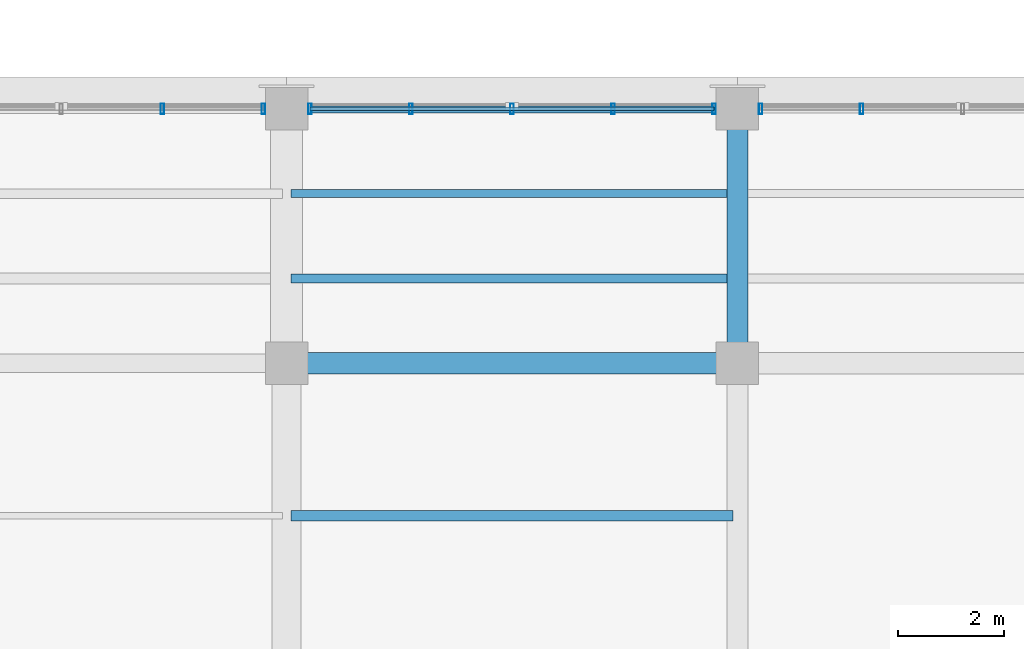
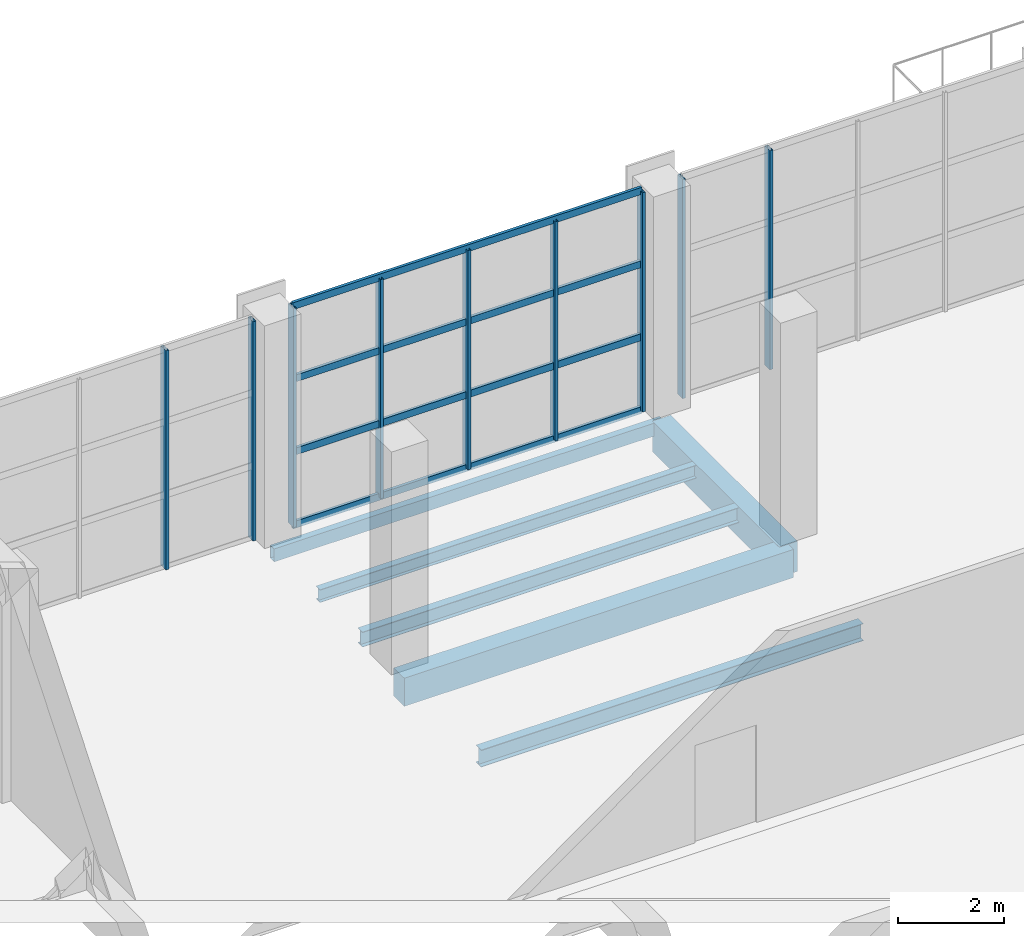
# One storey, part 13 of 90: 13 members, 6 beams, 3 elements without a shape of their own.
"""IFC4 building model written with IfcOpenShell, lengths in metres."""

from ifc_helpers import new_model, si_unit, direction, frame, origin, origin_2d, place, context, subcontext, project, spatial, rectangle, hollow_rectangle, i_section, extrude, material, material_profile, profile_set, type_object, element, aggregate, save


model = new_model("IFC4")

# Units and contexts
model_context = context("Model", 3, precision=1e-05, world=origin(), true_north=direction((0.0, 1.0)))
body_context = subcontext(model_context, "Body", "Model", "MODEL_VIEW")
ifc_project = project(units=[si_unit("LENGTHUNIT", "METRE"), si_unit("AREAUNIT", "SQUARE_METRE"), si_unit("VOLUMEUNIT", "CUBIC_METRE"), si_unit("PLANEANGLEUNIT", "RADIAN"), si_unit("MASSUNIT", "GRAM", prefix="KILO")], contexts=[model_context])

# Site, building, storey
site_placement = place(None, origin())
site = spatial("IfcSite", under=ifc_project, at=site_placement, CompositionType="ELEMENT")
building_placement = place(site_placement, origin())
building = spatial("IfcBuilding", under=site, at=building_placement, Name="Solvikara Media Centre", CompositionType="ELEMENT")
storey_placement = place(building_placement, origin())
storey = spatial("IfcBuildingStorey", under=building, at=storey_placement, Name="L00", CompositionType="ELEMENT", Elevation=0.0)

# Beams
ifc_material_1 = material(Name="Concrete fc' 35 MPa (C35/45)", Category="concrete")
ifc_material_profile_1 = material_profile(ifc_material_1, rectangle(XDim=0.39990234375, YDim=0.64990234375, at=origin_2d()), Name="RC 400x650")
ifc_profile_set_1 = profile_set([ifc_material_profile_1], Name="Concrete fc' 35 MPa (C35/45)")
beam_type_1 = type_object("IfcBeamType", Name="BM-02", PredefinedType="BEAM", material=ifc_profile_set_1)
beam_1_placement = place(storey_placement, frame((51.0, 32.0, -0.6650390625), z_axis=(1.0, 0.0, 0.0), x_axis=(0.0, 1.0, 0.0)))
element("IfcBeam", 1, at=beam_1_placement, inside=storey, type_object=beam_type_1, Name="B-L00-X0050", PredefinedType="BEAM", context=body_context, shape_type="SweptSolid", body=[
    extrude(rectangle(XDim=0.39990234375, YDim=0.64990234375, at=origin_2d()), origin(), (0.0, 0.0, 1.0), 8.5),
])
ifc_material_profile_2 = material_profile(ifc_material_1, rectangle(XDim=0.39990234375, YDim=0.699951171875, at=origin_2d()), Name="RC 400x700")
ifc_profile_set_2 = profile_set([ifc_material_profile_2], Name="Concrete fc' 35 MPa (C35/45)")
beam_type_2 = type_object("IfcBeamType", Name="BM-03", PredefinedType="BEAM", material=ifc_profile_set_2)
beam_2_placement = place(storey_placement, frame((59.5, 32.0, -0.68994140625), z_axis=(0.0, 1.0, 0.0), x_axis=(-1.0, 0.0, 0.0)))
element("IfcBeam", 2, at=beam_2_placement, inside=storey, type_object=beam_type_2, Name="B-L00-Y0171", PredefinedType="BEAM", context=body_context, shape_type="SweptSolid", body=[
    extrude(rectangle(XDim=0.39990234375, YDim=0.699951171875, at=origin_2d()), origin(), (0.0, 0.0, 1.0), 4.800048828125),
])
ifc_material_2 = material(Name="Steel S355JR", Category="steel")
ifc_material_profile_3 = material_profile(ifc_material_2, hollow_rectangle(XDim=0.14990234375, YDim=0.300048828125, WallThickness=0.010009765625, at=origin_2d()), Name="RHS 300x150x10")
ifc_profile_set_3 = profile_set([ifc_material_profile_3], Name="Steel S355JR")
beam_type_3 = type_object("IfcBeamType", Name="BM-35", PredefinedType="BEAM", material=ifc_profile_set_3)
beam_3_placement = place(storey_placement, frame((51.0, 36.800048828125, -0.491943359375), z_axis=(1.0, 0.0, 0.0), x_axis=(0.0, 1.0, 0.0)))
element("IfcBeam", 3, at=beam_3_placement, inside=storey, type_object=beam_type_3, Name="B-L00-X0053", PredefinedType="BEAM", context=body_context, shape_type="SweptSolid", body=[
    extrude(hollow_rectangle(XDim=0.14990234375, YDim=0.300048828125, WallThickness=0.010009765625, at=origin_2d()), origin(), (0.0, 0.0, 1.0), 8.5),
])
ifc_material_profile_4 = material_profile(ifc_material_2, i_section(OverallWidth=0.198974609375, OverallDepth=0.39599609375, WebThickness=0.007080078125, FlangeThickness=0.010986328125, at=origin_2d()), Name="WF 396x199x7x11")
ifc_profile_set_4 = profile_set([ifc_material_profile_4], Name="Steel S355JR")
beam_type_4 = type_object("IfcBeamType", Name="BM-37", PredefinedType="JOIST", material=ifc_profile_set_4)
beam_4_placement = place(storey_placement, frame((51.077880859375, 29.125, -0.5400390625), z_axis=(1.0, 0.0, 0.0), x_axis=(0.0, 1.0, 0.0)))
element("IfcBeam", 4, at=beam_4_placement, inside=storey, type_object=beam_type_4, Name="J-L00-0349", PredefinedType="JOIST", context=body_context, shape_type="SweptSolid", body=[
    extrude(i_section(OverallWidth=0.198974609375, OverallDepth=0.39599609375, WebThickness=0.007080078125, FlangeThickness=0.010986328125, at=origin_2d()), origin(), (0.0, 0.0, 1.0), 8.34423828125),
])
ifc_material_profile_5 = material_profile(ifc_material_2, i_section(OverallWidth=0.174072265625, OverallDepth=0.345947265625, WebThickness=0.006103515625, FlangeThickness=0.009033203125, at=origin_2d()), Name="WF 346x174x6x9")
ifc_profile_set_5 = profile_set([ifc_material_profile_5], Name="Steel S355JR")
beam_type_5 = type_object("IfcBeamType", Name="BM-38", PredefinedType="JOIST", material=ifc_profile_set_5)
beam_5_placement = place(storey_placement, frame((51.077880859375, 33.60009765625, -0.514892578125), z_axis=(1.0, 0.0, 0.0), x_axis=(0.0, 1.0, 0.0)))
element("IfcBeam", 5, at=beam_5_placement, inside=storey, type_object=beam_type_5, Name="J-L00-0350", PredefinedType="JOIST", context=body_context, shape_type="SweptSolid", body=[
    extrude(i_section(OverallWidth=0.174072265625, OverallDepth=0.345947265625, WebThickness=0.006103515625, FlangeThickness=0.009033203125, at=origin_2d()), origin(), (0.0, 0.0, 1.0), 8.34423828125),
])
ifc_material_profile_6 = material_profile(ifc_material_2, i_section(OverallWidth=0.14892578125, OverallDepth=0.298095703125, WebThickness=0.005615234375, FlangeThickness=0.008056640625, at=origin_2d()), Name="WF 298x149x5.5x8")
ifc_profile_set_6 = profile_set([ifc_material_profile_6], Name="Steel S355JR")
beam_type_6 = type_object("IfcBeamType", Name="BM-39", PredefinedType="JOIST", material=ifc_profile_set_6)
beam_6_placement = place(storey_placement, frame((51.077880859375, 35.199951171875, -0.490966796875), z_axis=(1.0, 0.0, 0.0), x_axis=(0.0, 1.0, 0.0)))
element("IfcBeam", 6, at=beam_6_placement, inside=storey, type_object=beam_type_6, Name="J-L00-0351", PredefinedType="JOIST", context=body_context, shape_type="SweptSolid", body=[
    extrude(i_section(OverallWidth=0.14892578125, OverallDepth=0.298095703125, WebThickness=0.005615234375, FlangeThickness=0.008056640625, at=origin_2d()), origin(), (0.0, 0.0, 1.0), 8.34423828125),
])

# Curtain wall, members
ifc_material_3 = material(Name="Anodised aluminium EN AW-6063", Category="aluminium")
curtain_wall_type = type_object("IfcCurtainWallType", Name="CW-03", PredefinedType="NOTDEFINED", material=ifc_material_3)
curtain_wall_1_placement = place(storey_placement, origin())
curtain_wall_1 = element("IfcCurtainWall", 7, at=curtain_wall_1_placement, inside=storey, type_object=curtain_wall_type, Name="CW-L00-CAF-N1", PredefinedType="NOTDEFINED")
ifc_material_profile_7 = material_profile(ifc_material_3, hollow_rectangle(XDim=0.06494140625, YDim=0.199951171875, WallThickness=0.00390625, at=origin_2d()), Name="ALU-M 65x200x4")
ifc_profile_set_7 = profile_set([ifc_material_profile_7], Name="Anodised aluminium EN AW-6063")
member_type_1 = type_object("IfcMemberType", Name="MF-02", PredefinedType="MULLION", material=ifc_profile_set_7)
member_1_placement = place(storey_placement, frame((48.655029296875, 36.800048828125, 0.02001953125), z_axis=(0.0, 0.0, 1.0), x_axis=(1.0, 0.0, 0.0)))
member_1 = element("IfcMember", 8, at=member_1_placement, type_object=member_type_1, Name="CW-L00-CAF-N1-M03", PredefinedType="MULLION", context=body_context, shape_type="SweptSolid", body=[
    extrude(hollow_rectangle(XDim=0.06494140625, YDim=0.199951171875, WallThickness=0.00390625, at=origin_2d()), origin(), (0.0, 0.0, 1.0), 5.06005859375),
])
member_2_placement = place(storey_placement, frame((50.56005859375, 36.800048828125, 0.02001953125), z_axis=(0.0, 0.0, 1.0), x_axis=(1.0, 0.0, 0.0)))
member_2 = element("IfcMember", 9, at=member_2_placement, type_object=member_type_1, Name="CW-L00-CAF-N1-M04", PredefinedType="MULLION", context=body_context, shape_type="SweptSolid", body=[
    extrude(hollow_rectangle(XDim=0.06494140625, YDim=0.199951171875, WallThickness=0.00390625, at=origin_2d()), origin(), (0.0, 0.0, 1.0), 5.06005859375),
])
aggregate(curtain_wall_1, [member_1, member_2])

curtain_wall_2_placement = place(storey_placement, origin())
curtain_wall_2 = element("IfcCurtainWall", 10, at=curtain_wall_2_placement, inside=storey, type_object=curtain_wall_type, Name="CW-L00-CAF-N2", PredefinedType="NOTDEFINED")
member_3_placement = place(storey_placement, frame((51.43994140625, 36.800048828125, 0.02001953125), z_axis=(0.0, 0.0, 1.0), x_axis=(1.0, 0.0, 0.0)))
member_3 = element("IfcMember", 11, at=member_3_placement, type_object=member_type_1, Name="CW-L00-CAF-N2-M00", PredefinedType="MULLION", context=body_context, shape_type="SweptSolid", body=[
    extrude(hollow_rectangle(XDim=0.06494140625, YDim=0.199951171875, WallThickness=0.00390625, at=origin_2d()), origin(), (0.0, 0.0, 1.0), 5.06005859375),
])
member_4_placement = place(storey_placement, frame((53.344970703125, 36.800048828125, 0.02001953125), z_axis=(0.0, 0.0, 1.0), x_axis=(1.0, 0.0, 0.0)))
member_4 = element("IfcMember", 12, at=member_4_placement, type_object=member_type_1, Name="CW-L00-CAF-N2-M01", PredefinedType="MULLION", context=body_context, shape_type="SweptSolid", body=[
    extrude(hollow_rectangle(XDim=0.06494140625, YDim=0.199951171875, WallThickness=0.00390625, at=origin_2d()), origin(), (0.0, 0.0, 1.0), 5.06005859375),
])
member_5_placement = place(storey_placement, frame((55.25, 36.800048828125, 0.02001953125), z_axis=(0.0, 0.0, 1.0), x_axis=(1.0, 0.0, 0.0)))
member_5 = element("IfcMember", 13, at=member_5_placement, type_object=member_type_1, Name="CW-L00-CAF-N2-M02", PredefinedType="MULLION", context=body_context, shape_type="SweptSolid", body=[
    extrude(hollow_rectangle(XDim=0.06494140625, YDim=0.199951171875, WallThickness=0.00390625, at=origin_2d()), origin(), (0.0, 0.0, 1.0), 5.06005859375),
])
member_6_placement = place(storey_placement, frame((57.155029296875, 36.800048828125, 0.02001953125), z_axis=(0.0, 0.0, 1.0), x_axis=(1.0, 0.0, 0.0)))
member_6 = element("IfcMember", 14, at=member_6_placement, type_object=member_type_1, Name="CW-L00-CAF-N2-M03", PredefinedType="MULLION", context=body_context, shape_type="SweptSolid", body=[
    extrude(hollow_rectangle(XDim=0.06494140625, YDim=0.199951171875, WallThickness=0.00390625, at=origin_2d()), origin(), (0.0, 0.0, 1.0), 5.06005859375),
])
member_7_placement = place(storey_placement, frame((59.06005859375, 36.800048828125, 0.02001953125), z_axis=(0.0, 0.0, 1.0), x_axis=(1.0, 0.0, 0.0)))
member_7 = element("IfcMember", 15, at=member_7_placement, type_object=member_type_1, Name="CW-L00-CAF-N2-M04", PredefinedType="MULLION", context=body_context, shape_type="SweptSolid", body=[
    extrude(hollow_rectangle(XDim=0.06494140625, YDim=0.199951171875, WallThickness=0.00390625, at=origin_2d()), origin(), (0.0, 0.0, 1.0), 5.06005859375),
])

curtain_wall_3_placement = place(storey_placement, origin())
curtain_wall_3 = element("IfcCurtainWall", 16, at=curtain_wall_3_placement, inside=storey, type_object=curtain_wall_type, Name="CW-L00-CAF-N3", PredefinedType="NOTDEFINED")
member_8_placement = place(storey_placement, frame((59.93994140625, 36.800048828125, 0.02001953125), z_axis=(0.0, 0.0, 1.0), x_axis=(1.0, 0.0, 0.0)))
member_8 = element("IfcMember", 17, at=member_8_placement, type_object=member_type_1, Name="CW-L00-CAF-N3-M00", PredefinedType="MULLION", context=body_context, shape_type="SweptSolid", body=[
    extrude(hollow_rectangle(XDim=0.06494140625, YDim=0.199951171875, WallThickness=0.00390625, at=origin_2d()), origin(), (0.0, 0.0, 1.0), 5.06005859375),
])
member_9_placement = place(storey_placement, frame((61.844970703125, 36.800048828125, 0.02001953125), z_axis=(0.0, 0.0, 1.0), x_axis=(1.0, 0.0, 0.0)))
member_9 = element("IfcMember", 18, at=member_9_placement, type_object=member_type_1, Name="CW-L00-CAF-N3-M01", PredefinedType="MULLION", context=body_context, shape_type="SweptSolid", body=[
    extrude(hollow_rectangle(XDim=0.06494140625, YDim=0.199951171875, WallThickness=0.00390625, at=origin_2d()), origin(), (0.0, 0.0, 1.0), 5.06005859375),
])
aggregate(curtain_wall_3, [member_8, member_9])

# Member
ifc_material_profile_8 = material_profile(ifc_material_3, hollow_rectangle(XDim=0.06494140625, YDim=0.159912109375, WallThickness=0.00341796875, at=origin_2d()), Name="ALU-T 65x160x3.5")
ifc_profile_set_8 = profile_set([ifc_material_profile_8], Name="Anodised aluminium EN AW-6063")
member_type_2 = type_object("IfcMemberType", Name="MF-08", PredefinedType="USERDEFINED", material=ifc_profile_set_8)
member_10_placement = place(storey_placement, frame((51.43994140625, 36.800048828125, 0.02001953125), z_axis=(1.0, 0.0, 0.0), x_axis=(0.0, 1.0, 0.0)))
member_10 = element("IfcMember", 19, at=member_10_placement, type_object=member_type_2, Name="CW-L00-CAF-N2-T00", ObjectType="TRANSOM", PredefinedType="USERDEFINED", context=body_context, shape_type="SweptSolid", body=[
    extrude(hollow_rectangle(XDim=0.06494140625, YDim=0.159912109375, WallThickness=0.00341796875, at=origin_2d()), origin(), (0.0, 0.0, 1.0), 7.6201171875),
])

member_11_placement = place(storey_placement, frame((51.43994140625, 36.800048828125, 1.70703125), z_axis=(1.0, 0.0, 0.0), x_axis=(0.0, 1.0, 0.0)))
member_11 = element("IfcMember", 20, at=member_11_placement, type_object=member_type_2, Name="CW-L00-CAF-N2-T01", ObjectType="TRANSOM", PredefinedType="USERDEFINED", context=body_context, shape_type="SweptSolid", body=[
    extrude(hollow_rectangle(XDim=0.06494140625, YDim=0.159912109375, WallThickness=0.00341796875, at=origin_2d()), origin(), (0.0, 0.0, 1.0), 7.6201171875),
])

member_12_placement = place(storey_placement, frame((51.43994140625, 36.800048828125, 3.39306640625), z_axis=(1.0, 0.0, 0.0), x_axis=(0.0, 1.0, 0.0)))
member_12 = element("IfcMember", 21, at=member_12_placement, type_object=member_type_2, Name="CW-L00-CAF-N2-T02", ObjectType="TRANSOM", PredefinedType="USERDEFINED", context=body_context, shape_type="SweptSolid", body=[
    extrude(hollow_rectangle(XDim=0.06494140625, YDim=0.159912109375, WallThickness=0.00341796875, at=origin_2d()), origin(), (0.0, 0.0, 1.0), 7.6201171875),
])

member_13_placement = place(storey_placement, frame((51.43994140625, 36.800048828125, 5.080078125), z_axis=(1.0, 0.0, 0.0), x_axis=(0.0, 1.0, 0.0)))
member_13 = element("IfcMember", 22, at=member_13_placement, type_object=member_type_2, Name="CW-L00-CAF-N2-T03", ObjectType="TRANSOM", PredefinedType="USERDEFINED", context=body_context, shape_type="SweptSolid", body=[
    extrude(hollow_rectangle(XDim=0.06494140625, YDim=0.159912109375, WallThickness=0.00341796875, at=origin_2d()), origin(), (0.0, 0.0, 1.0), 7.6201171875),
])

aggregate(curtain_wall_2, [member_3, member_4, member_5, member_6, member_7, member_10, member_11, member_12, member_13])

save(model, "model.ifc")
